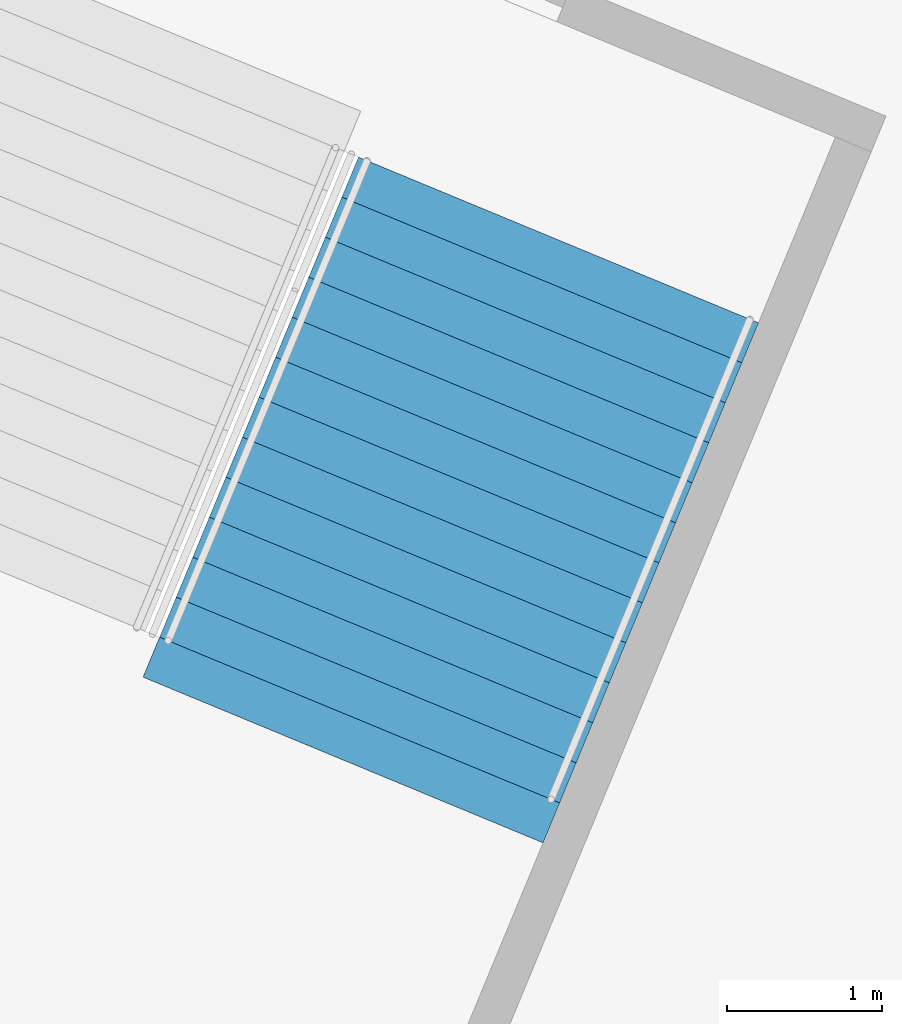
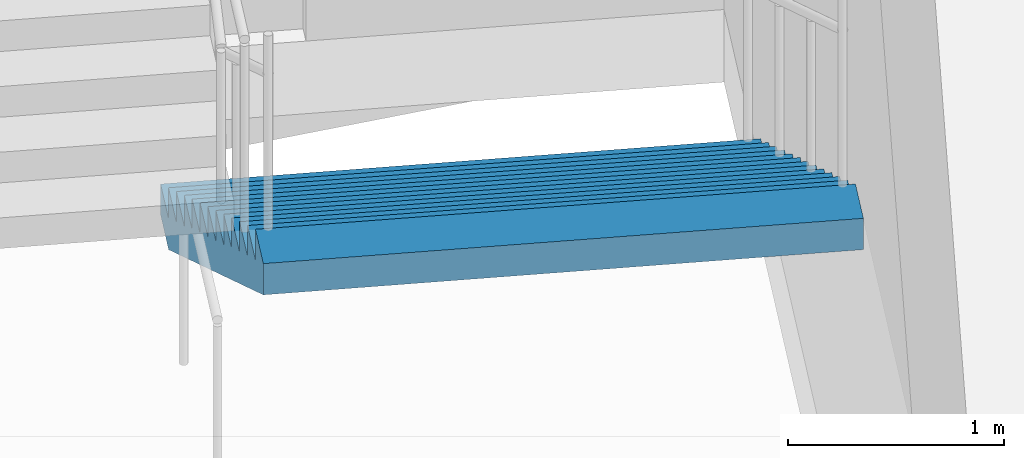
# One storey, part 105 of 199: 1 stair flight, 1 element without a shape of its own.
"""IFC4 building model written with IfcOpenShell, lengths in metres."""

from ifc_helpers import new_model, si_unit, direction, frame, origin, place, context, subcontext, project, spatial, faceted_brep, material, type_object, element, aggregate, save


model = new_model("IFC4")

# Units and contexts
model_context = context("Model", 3, precision=1e-05, world=origin(), true_north=direction((0.0, 1.0)))
body_context = subcontext(model_context, "Body", "Model", "MODEL_VIEW")
ifc_project = project(units=[si_unit("LENGTHUNIT", "METRE"), si_unit("AREAUNIT", "SQUARE_METRE"), si_unit("VOLUMEUNIT", "CUBIC_METRE"), si_unit("PLANEANGLEUNIT", "RADIAN"), si_unit("MASSUNIT", "GRAM", prefix="KILO")], contexts=[model_context])

# Site, building, storey
site_placement = place(None, origin())
site = spatial("IfcSite", under=ifc_project, at=site_placement, CompositionType="ELEMENT")
building_placement = place(site_placement, origin())
building = spatial("IfcBuilding", under=site, at=building_placement, Name="Ogive Plaza Stadium", CompositionType="ELEMENT")
storey_placement = place(building_placement, frame((0.0, 0.0, 9.0)))
storey = spatial("IfcBuildingStorey", under=building, at=storey_placement, Name="L02", CompositionType="ELEMENT", Elevation=9.0)

# Stair, stair flight
ifc_material_1 = material(Name="Concrete C40/50", Category="concrete")
stair_type = type_object("IfcStairType", Name="Exit stair", PredefinedType="STRAIGHT_RUN_STAIR", material=ifc_material_1)
stair_placement = place(storey_placement, origin())
stair = element("IfcStair", 1, at=stair_placement, inside=storey, type_object=stair_type, Name="Exit stair ST18B L02 to L03", PredefinedType="STRAIGHT_RUN_STAIR")
ifc_material_2 = material(Name="Concrete C40/50", Category="concrete")
stair_flight_type = type_object("IfcStairFlightType", Name="Exit stair flight", PredefinedType="STRAIGHT", material=ifc_material_2)
stair_flight_placement = place(storey_placement, frame((-46.118408203125, -93.319580078125, 0.0), z_axis=(0.0, 0.0, 1.0), x_axis=(-0.382683432365, -0.923879532511, 0.0)))
stair_flight = element("IfcStairFlight", 2, at=stair_flight_placement, type_object=stair_flight_type, Name="ST18B flight 1", NumberOfRisers=13, NumberOfTreads=12, PredefinedType="STRAIGHT", RiserHeight=0.173076923, TreadLength=0.28, context=body_context, shape_type="Brep", body=[
    faceted_brep([(0.28515625, -1.39990234375, 0.0), (3.639892578125, -1.39990234375, 2.07373046875), (3.639892578125, -1.39990234375, 2.25), (3.360107421875, -1.39990234375, 2.25), (3.360107421875, -1.39990234375, 2.076904296875), (3.080078125, -1.39990234375, 2.076904296875), (3.080078125, -1.39990234375, 1.90380859375), (2.800048828125, -1.39990234375, 1.90380859375), (2.800048828125, -1.39990234375, 1.730712890625), (2.52001953125, -1.39990234375, 1.730712890625), (2.52001953125, -1.39990234375, 1.5576171875), (2.239990234375, -1.39990234375, 1.5576171875), (2.239990234375, -1.39990234375, 1.384521484375), (1.9599609375, -1.39990234375, 1.384521484375), (1.9599609375, -1.39990234375, 1.21142578125), (1.679931640625, -1.39990234375, 1.21142578125), (1.679931640625, -1.39990234375, 1.03857421875), (1.39990234375, -1.39990234375, 1.03857421875), (1.39990234375, -1.39990234375, 0.865478515625), (1.1201171875, -1.39990234375, 0.865478515625), (1.1201171875, -1.39990234375, 0.6923828125), (0.840087890625, -1.39990234375, 0.6923828125), (0.840087890625, -1.39990234375, 0.519287109375), (0.56005859375, -1.39990234375, 0.519287109375), (0.56005859375, -1.39990234375, 0.34619140625), (0.280029296875, -1.39990234375, 0.34619140625), (0.280029296875, -1.39990234375, 0.173095703125), (0.0, -1.39990234375, 0.173095703125), (0.0, -1.39990234375, 0.0), (0.0, 1.39990234375, 0.0), (0.0, 1.39990234375, 0.173095703125), (0.280029296875, 1.39990234375, 0.173095703125), (0.280029296875, 1.39990234375, 0.34619140625), (0.56005859375, 1.39990234375, 0.34619140625), (0.56005859375, 1.39990234375, 0.519287109375), (0.840087890625, 1.39990234375, 0.519287109375), (0.840087890625, 1.39990234375, 0.6923828125), (1.1201171875, 1.39990234375, 0.6923828125), (1.1201171875, 1.39990234375, 0.865478515625), (1.39990234375, 1.39990234375, 0.865478515625), (1.39990234375, 1.39990234375, 1.03857421875), (1.679931640625, 1.39990234375, 1.03857421875), (1.679931640625, 1.39990234375, 1.21142578125), (1.9599609375, 1.39990234375, 1.21142578125), (1.9599609375, 1.39990234375, 1.384521484375), (2.239990234375, 1.39990234375, 1.384521484375), (2.239990234375, 1.39990234375, 1.5576171875), (2.52001953125, 1.39990234375, 1.5576171875), (2.52001953125, 1.39990234375, 1.730712890625), (2.800048828125, 1.39990234375, 1.730712890625), (2.800048828125, 1.39990234375, 1.90380859375), (3.080078125, 1.39990234375, 1.90380859375), (3.080078125, 1.39990234375, 2.076904296875), (3.360107421875, 1.39990234375, 2.076904296875), (3.360107421875, 1.39990234375, 2.25), (3.639892578125, 1.39990234375, 2.25), (3.639892578125, 1.39990234375, 2.07373046875), (0.28515625, 1.39990234375, 0.0), (0.28515625, -1.0888671875, 0.0), (3.639892578125, -1.0888671875, 2.07373046875), (0.28515625, -0.77783203125, 0.0), (3.639892578125, -0.77783203125, 2.07373046875), (0.28515625, -0.466796875, 0.0), (3.639892578125, -0.466796875, 2.07373046875), (0.28515625, -0.155517578125, 0.0), (3.639892578125, -0.155517578125, 2.07373046875), (0.28515625, 0.155517578125, 0.0), (3.639892578125, 0.155517578125, 2.07373046875), (0.28515625, 0.466796875, 0.0), (3.639892578125, 0.466796875, 2.07373046875), (0.28515625, 0.77783203125, 0.0), (3.639892578125, 0.77783203125, 2.07373046875), (0.28515625, 1.0888671875, 0.0), (3.639892578125, 1.0888671875, 2.07373046875), (3.639892578125, -1.0888671875, 2.25), (3.639892578125, -0.77783203125, 2.25), (3.639892578125, -0.466796875, 2.25), (3.639892578125, -0.155517578125, 2.25), (3.639892578125, 0.155517578125, 2.25), (3.639892578125, 0.466796875, 2.25), (3.639892578125, 0.77783203125, 2.25), (3.639892578125, 1.0888671875, 2.25), (3.360107421875, -1.0888671875, 2.25), (3.360107421875, -0.77783203125, 2.25), (3.360107421875, -0.466796875, 2.25), (3.360107421875, -0.155517578125, 2.25), (3.360107421875, 0.155517578125, 2.25), (3.360107421875, 0.466796875, 2.25), (3.360107421875, 0.77783203125, 2.25), (3.360107421875, 1.0888671875, 2.25), (3.360107421875, -1.0888671875, 2.076904296875), (3.360107421875, -0.77783203125, 2.076904296875), (3.360107421875, -0.466796875, 2.076904296875), (3.360107421875, -0.155517578125, 2.076904296875), (3.360107421875, 0.155517578125, 2.076904296875), (3.360107421875, 0.466796875, 2.076904296875), (3.360107421875, 0.77783203125, 2.076904296875), (3.360107421875, 1.0888671875, 2.076904296875), (3.080078125, -1.0888671875, 2.076904296875), (3.080078125, -0.77783203125, 2.076904296875), (3.080078125, -0.466796875, 2.076904296875), (3.080078125, -0.155517578125, 2.076904296875), (3.080078125, 0.155517578125, 2.076904296875), (3.080078125, 0.466796875, 2.076904296875), (3.080078125, 0.77783203125, 2.076904296875), (3.080078125, 1.0888671875, 2.076904296875), (3.080078125, -1.0888671875, 1.90380859375), (3.080078125, -0.77783203125, 1.90380859375), (3.080078125, -0.466796875, 1.90380859375), (3.080078125, -0.155517578125, 1.90380859375), (3.080078125, 0.155517578125, 1.90380859375), (3.080078125, 0.466796875, 1.90380859375), (3.080078125, 0.77783203125, 1.90380859375), (3.080078125, 1.0888671875, 1.90380859375), (2.800048828125, -1.0888671875, 1.90380859375), (2.800048828125, -0.77783203125, 1.90380859375), (2.800048828125, -0.466796875, 1.90380859375), (2.800048828125, -0.155517578125, 1.90380859375), (2.800048828125, 0.155517578125, 1.90380859375), (2.800048828125, 0.466796875, 1.90380859375), (2.800048828125, 0.77783203125, 1.90380859375), (2.800048828125, 1.0888671875, 1.90380859375), (2.800048828125, -1.0888671875, 1.730712890625), (2.800048828125, -0.77783203125, 1.730712890625), (2.800048828125, -0.466796875, 1.730712890625), (2.800048828125, -0.155517578125, 1.730712890625), (2.800048828125, 0.155517578125, 1.730712890625), (2.800048828125, 0.466796875, 1.730712890625), (2.800048828125, 0.77783203125, 1.730712890625), (2.800048828125, 1.0888671875, 1.730712890625), (2.52001953125, -1.0888671875, 1.730712890625), (2.52001953125, -0.77783203125, 1.730712890625), (2.52001953125, -0.466796875, 1.730712890625), (2.52001953125, -0.155517578125, 1.730712890625), (2.52001953125, 0.155517578125, 1.730712890625), (2.52001953125, 0.466796875, 1.730712890625), (2.52001953125, 0.77783203125, 1.730712890625), (2.52001953125, 1.0888671875, 1.730712890625), (2.52001953125, -1.0888671875, 1.5576171875), (2.52001953125, -0.77783203125, 1.5576171875), (2.52001953125, -0.466796875, 1.5576171875), (2.52001953125, -0.155517578125, 1.5576171875), (2.52001953125, 0.155517578125, 1.5576171875), (2.52001953125, 0.466796875, 1.5576171875), (2.52001953125, 0.77783203125, 1.5576171875), (2.52001953125, 1.0888671875, 1.5576171875), (2.239990234375, -1.0888671875, 1.5576171875), (2.239990234375, -0.77783203125, 1.5576171875), (2.239990234375, -0.466796875, 1.5576171875), (2.239990234375, -0.155517578125, 1.5576171875), (2.239990234375, 0.155517578125, 1.5576171875), (2.239990234375, 0.466796875, 1.5576171875), (2.239990234375, 0.77783203125, 1.5576171875), (2.239990234375, 1.0888671875, 1.5576171875), (2.239990234375, -1.0888671875, 1.384521484375), (2.239990234375, -0.77783203125, 1.384521484375), (2.239990234375, -0.466796875, 1.384521484375), (2.239990234375, -0.155517578125, 1.384521484375), (2.239990234375, 0.155517578125, 1.384521484375), (2.239990234375, 0.466796875, 1.384521484375), (2.239990234375, 0.77783203125, 1.384521484375), (2.239990234375, 1.0888671875, 1.384521484375), (1.9599609375, -1.0888671875, 1.384521484375), (1.9599609375, -0.77783203125, 1.384521484375), (1.9599609375, -0.466796875, 1.384521484375), (1.9599609375, -0.155517578125, 1.384521484375), (1.9599609375, 0.155517578125, 1.384521484375), (1.9599609375, 0.466796875, 1.384521484375), (1.9599609375, 0.77783203125, 1.384521484375), (1.9599609375, 1.0888671875, 1.384521484375), (1.9599609375, -1.0888671875, 1.21142578125), (1.9599609375, -0.77783203125, 1.21142578125), (1.9599609375, -0.466796875, 1.21142578125), (1.9599609375, -0.155517578125, 1.21142578125), (1.9599609375, 0.155517578125, 1.21142578125), (1.9599609375, 0.466796875, 1.21142578125), (1.9599609375, 0.77783203125, 1.21142578125), (1.9599609375, 1.0888671875, 1.21142578125), (1.679931640625, -1.0888671875, 1.21142578125), (1.679931640625, -0.77783203125, 1.21142578125), (1.679931640625, -0.466796875, 1.21142578125), (1.679931640625, -0.155517578125, 1.21142578125), (1.679931640625, 0.155517578125, 1.21142578125), (1.679931640625, 0.466796875, 1.21142578125), (1.679931640625, 0.77783203125, 1.21142578125), (1.679931640625, 1.0888671875, 1.21142578125), (1.679931640625, -1.0888671875, 1.03857421875), (1.679931640625, -0.77783203125, 1.03857421875), (1.679931640625, -0.466796875, 1.03857421875), (1.679931640625, -0.155517578125, 1.03857421875), (1.679931640625, 0.155517578125, 1.03857421875), (1.679931640625, 0.466796875, 1.03857421875), (1.679931640625, 0.77783203125, 1.03857421875), (1.679931640625, 1.0888671875, 1.03857421875), (1.39990234375, -1.0888671875, 1.03857421875), (1.39990234375, -0.77783203125, 1.03857421875), (1.39990234375, -0.466796875, 1.03857421875), (1.39990234375, -0.155517578125, 1.03857421875), (1.39990234375, 0.155517578125, 1.03857421875), (1.39990234375, 0.466796875, 1.03857421875), (1.39990234375, 0.77783203125, 1.03857421875), (1.39990234375, 1.0888671875, 1.03857421875), (1.39990234375, -1.0888671875, 0.865478515625), (1.39990234375, -0.77783203125, 0.865478515625), (1.39990234375, -0.466796875, 0.865478515625), (1.39990234375, -0.155517578125, 0.865478515625), (1.39990234375, 0.155517578125, 0.865478515625), (1.39990234375, 0.466796875, 0.865478515625), (1.39990234375, 0.77783203125, 0.865478515625), (1.39990234375, 1.0888671875, 0.865478515625), (1.1201171875, -1.0888671875, 0.865478515625), (1.1201171875, -0.77783203125, 0.865478515625), (1.1201171875, -0.466796875, 0.865478515625), (1.1201171875, -0.155517578125, 0.865478515625), (1.1201171875, 0.155517578125, 0.865478515625), (1.1201171875, 0.466796875, 0.865478515625), (1.1201171875, 0.77783203125, 0.865478515625), (1.1201171875, 1.0888671875, 0.865478515625), (1.1201171875, -1.0888671875, 0.6923828125), (1.1201171875, -0.77783203125, 0.6923828125), (1.1201171875, -0.466796875, 0.6923828125), (1.1201171875, -0.155517578125, 0.6923828125), (1.1201171875, 0.155517578125, 0.6923828125), (1.1201171875, 0.466796875, 0.6923828125), (1.1201171875, 0.77783203125, 0.6923828125), (1.1201171875, 1.0888671875, 0.6923828125), (0.840087890625, -1.0888671875, 0.6923828125), (0.840087890625, -0.77783203125, 0.6923828125), (0.840087890625, -0.466796875, 0.6923828125), (0.840087890625, -0.155517578125, 0.6923828125), (0.840087890625, 0.155517578125, 0.6923828125), (0.840087890625, 0.466796875, 0.6923828125), (0.840087890625, 0.77783203125, 0.6923828125), (0.840087890625, 1.0888671875, 0.6923828125), (0.840087890625, -1.0888671875, 0.519287109375), (0.840087890625, -0.77783203125, 0.519287109375), (0.840087890625, -0.466796875, 0.519287109375), (0.840087890625, -0.155517578125, 0.519287109375), (0.840087890625, 0.155517578125, 0.519287109375), (0.840087890625, 0.466796875, 0.519287109375), (0.840087890625, 0.77783203125, 0.519287109375), (0.840087890625, 1.0888671875, 0.519287109375), (0.56005859375, -1.0888671875, 0.519287109375), (0.56005859375, -0.77783203125, 0.519287109375), (0.56005859375, -0.466796875, 0.519287109375), (0.56005859375, -0.155517578125, 0.519287109375), (0.56005859375, 0.155517578125, 0.519287109375), (0.56005859375, 0.466796875, 0.519287109375), (0.56005859375, 0.77783203125, 0.519287109375), (0.56005859375, 1.0888671875, 0.519287109375), (0.56005859375, -1.0888671875, 0.34619140625), (0.56005859375, -0.77783203125, 0.34619140625), (0.56005859375, -0.466796875, 0.34619140625), (0.56005859375, -0.155517578125, 0.34619140625), (0.56005859375, 0.155517578125, 0.34619140625), (0.56005859375, 0.466796875, 0.34619140625), (0.56005859375, 0.77783203125, 0.34619140625), (0.56005859375, 1.0888671875, 0.34619140625), (0.280029296875, -1.0888671875, 0.34619140625), (0.280029296875, -0.77783203125, 0.34619140625), (0.280029296875, -0.466796875, 0.34619140625), (0.280029296875, -0.155517578125, 0.34619140625), (0.280029296875, 0.155517578125, 0.34619140625), (0.280029296875, 0.466796875, 0.34619140625), (0.280029296875, 0.77783203125, 0.34619140625), (0.280029296875, 1.0888671875, 0.34619140625), (0.280029296875, -1.0888671875, 0.173095703125), (0.280029296875, -0.77783203125, 0.173095703125), (0.280029296875, -0.466796875, 0.173095703125), (0.280029296875, -0.155517578125, 0.173095703125), (0.280029296875, 0.155517578125, 0.173095703125), (0.280029296875, 0.466796875, 0.173095703125), (0.280029296875, 0.77783203125, 0.173095703125), (0.280029296875, 1.0888671875, 0.173095703125), (0.0, -1.0888671875, 0.173095703125), (0.0, -0.77783203125, 0.173095703125), (0.0, -0.466796875, 0.173095703125), (0.0, -0.155517578125, 0.173095703125), (0.0, 0.155517578125, 0.173095703125), (0.0, 0.466796875, 0.173095703125), (0.0, 0.77783203125, 0.173095703125), (0.0, 1.0888671875, 0.173095703125), (0.0, -1.0888671875, 0.0), (0.0, -0.77783203125, 0.0), (0.0, -0.466796875, 0.0), (0.0, -0.155517578125, 0.0), (0.0, 0.155517578125, 0.0), (0.0, 0.466796875, 0.0), (0.0, 0.77783203125, 0.0), (0.0, 1.0888671875, 0.0)], [[[0, 1, 2, 3, 4, 5, 6, 7, 8, 9, 10, 11, 12, 13, 14, 15, 16, 17, 18, 19, 20, 21, 22, 23, 24, 25, 26, 27, 28]], [[29, 30, 31, 32, 33, 34, 35, 36, 37, 38, 39, 40, 41, 42, 43, 44, 45, 46, 47, 48, 49, 50, 51, 52, 53, 54, 55, 56, 57]], [[0, 58, 59, 1]], [[58, 60, 61, 59]], [[60, 62, 63, 61]], [[62, 64, 65, 63]], [[64, 66, 67, 65]], [[66, 68, 69, 67]], [[68, 70, 71, 69]], [[70, 72, 73, 71]], [[72, 57, 56, 73]], [[1, 59, 74, 2]], [[59, 61, 75, 74]], [[61, 63, 76, 75]], [[63, 65, 77, 76]], [[65, 67, 78, 77]], [[67, 69, 79, 78]], [[69, 71, 80, 79]], [[71, 73, 81, 80]], [[73, 56, 55, 81]], [[2, 74, 82, 3]], [[74, 75, 83, 82]], [[75, 76, 84, 83]], [[76, 77, 85, 84]], [[77, 78, 86, 85]], [[78, 79, 87, 86]], [[79, 80, 88, 87]], [[80, 81, 89, 88]], [[81, 55, 54, 89]], [[3, 82, 90, 4]], [[82, 83, 91, 90]], [[83, 84, 92, 91]], [[84, 85, 93, 92]], [[85, 86, 94, 93]], [[86, 87, 95, 94]], [[87, 88, 96, 95]], [[88, 89, 97, 96]], [[89, 54, 53, 97]], [[4, 90, 98, 5]], [[90, 91, 99, 98]], [[91, 92, 100, 99]], [[92, 93, 101, 100]], [[93, 94, 102, 101]], [[94, 95, 103, 102]], [[95, 96, 104, 103]], [[96, 97, 105, 104]], [[97, 53, 52, 105]], [[5, 98, 106, 6]], [[98, 99, 107, 106]], [[99, 100, 108, 107]], [[100, 101, 109, 108]], [[101, 102, 110, 109]], [[102, 103, 111, 110]], [[103, 104, 112, 111]], [[104, 105, 113, 112]], [[105, 52, 51, 113]], [[6, 106, 114, 7]], [[106, 107, 115, 114]], [[107, 108, 116, 115]], [[108, 109, 117, 116]], [[109, 110, 118, 117]], [[110, 111, 119, 118]], [[111, 112, 120, 119]], [[112, 113, 121, 120]], [[113, 51, 50, 121]], [[7, 114, 122, 8]], [[114, 115, 123, 122]], [[115, 116, 124, 123]], [[116, 117, 125, 124]], [[117, 118, 126, 125]], [[118, 119, 127, 126]], [[119, 120, 128, 127]], [[120, 121, 129, 128]], [[121, 50, 49, 129]], [[8, 122, 130, 9]], [[122, 123, 131, 130]], [[123, 124, 132, 131]], [[124, 125, 133, 132]], [[125, 126, 134, 133]], [[126, 127, 135, 134]], [[127, 128, 136, 135]], [[128, 129, 137, 136]], [[129, 49, 48, 137]], [[9, 130, 138, 10]], [[130, 131, 139, 138]], [[131, 132, 140, 139]], [[132, 133, 141, 140]], [[133, 134, 142, 141]], [[134, 135, 143, 142]], [[135, 136, 144, 143]], [[136, 137, 145, 144]], [[137, 48, 47, 145]], [[10, 138, 146, 11]], [[138, 139, 147, 146]], [[139, 140, 148, 147]], [[140, 141, 149, 148]], [[141, 142, 150, 149]], [[142, 143, 151, 150]], [[143, 144, 152, 151]], [[144, 145, 153, 152]], [[145, 47, 46, 153]], [[11, 146, 154, 12]], [[146, 147, 155, 154]], [[147, 148, 156, 155]], [[148, 149, 157, 156]], [[149, 150, 158, 157]], [[150, 151, 159, 158]], [[151, 152, 160, 159]], [[152, 153, 161, 160]], [[153, 46, 45, 161]], [[12, 154, 162, 13]], [[154, 155, 163, 162]], [[155, 156, 164, 163]], [[156, 157, 165, 164]], [[157, 158, 166, 165]], [[158, 159, 167, 166]], [[159, 160, 168, 167]], [[160, 161, 169, 168]], [[161, 45, 44, 169]], [[13, 162, 170, 14]], [[162, 163, 171, 170]], [[163, 164, 172, 171]], [[164, 165, 173, 172]], [[165, 166, 174, 173]], [[166, 167, 175, 174]], [[167, 168, 176, 175]], [[168, 169, 177, 176]], [[169, 44, 43, 177]], [[14, 170, 178, 15]], [[170, 171, 179, 178]], [[171, 172, 180, 179]], [[172, 173, 181, 180]], [[173, 174, 182, 181]], [[174, 175, 183, 182]], [[175, 176, 184, 183]], [[176, 177, 185, 184]], [[177, 43, 42, 185]], [[15, 178, 186, 16]], [[178, 179, 187, 186]], [[179, 180, 188, 187]], [[180, 181, 189, 188]], [[181, 182, 190, 189]], [[182, 183, 191, 190]], [[183, 184, 192, 191]], [[184, 185, 193, 192]], [[185, 42, 41, 193]], [[16, 186, 194, 17]], [[186, 187, 195, 194]], [[187, 188, 196, 195]], [[188, 189, 197, 196]], [[189, 190, 198, 197]], [[190, 191, 199, 198]], [[191, 192, 200, 199]], [[192, 193, 201, 200]], [[193, 41, 40, 201]], [[17, 194, 202, 18]], [[194, 195, 203, 202]], [[195, 196, 204, 203]], [[196, 197, 205, 204]], [[197, 198, 206, 205]], [[198, 199, 207, 206]], [[199, 200, 208, 207]], [[200, 201, 209, 208]], [[201, 40, 39, 209]], [[18, 202, 210, 19]], [[202, 203, 211, 210]], [[203, 204, 212, 211]], [[204, 205, 213, 212]], [[205, 206, 214, 213]], [[206, 207, 215, 214]], [[207, 208, 216, 215]], [[208, 209, 217, 216]], [[209, 39, 38, 217]], [[19, 210, 218, 20]], [[210, 211, 219, 218]], [[211, 212, 220, 219]], [[212, 213, 221, 220]], [[213, 214, 222, 221]], [[214, 215, 223, 222]], [[215, 216, 224, 223]], [[216, 217, 225, 224]], [[217, 38, 37, 225]], [[20, 218, 226, 21]], [[218, 219, 227, 226]], [[219, 220, 228, 227]], [[220, 221, 229, 228]], [[221, 222, 230, 229]], [[222, 223, 231, 230]], [[223, 224, 232, 231]], [[224, 225, 233, 232]], [[225, 37, 36, 233]], [[21, 226, 234, 22]], [[226, 227, 235, 234]], [[227, 228, 236, 235]], [[228, 229, 237, 236]], [[229, 230, 238, 237]], [[230, 231, 239, 238]], [[231, 232, 240, 239]], [[232, 233, 241, 240]], [[233, 36, 35, 241]], [[22, 234, 242, 23]], [[234, 235, 243, 242]], [[235, 236, 244, 243]], [[236, 237, 245, 244]], [[237, 238, 246, 245]], [[238, 239, 247, 246]], [[239, 240, 248, 247]], [[240, 241, 249, 248]], [[241, 35, 34, 249]], [[23, 242, 250, 24]], [[242, 243, 251, 250]], [[243, 244, 252, 251]], [[244, 245, 253, 252]], [[245, 246, 254, 253]], [[246, 247, 255, 254]], [[247, 248, 256, 255]], [[248, 249, 257, 256]], [[249, 34, 33, 257]], [[24, 250, 258, 25]], [[250, 251, 259, 258]], [[251, 252, 260, 259]], [[252, 253, 261, 260]], [[253, 254, 262, 261]], [[254, 255, 263, 262]], [[255, 256, 264, 263]], [[256, 257, 265, 264]], [[257, 33, 32, 265]], [[25, 258, 266, 26]], [[258, 259, 267, 266]], [[259, 260, 268, 267]], [[260, 261, 269, 268]], [[261, 262, 270, 269]], [[262, 263, 271, 270]], [[263, 264, 272, 271]], [[264, 265, 273, 272]], [[265, 32, 31, 273]], [[26, 266, 274, 27]], [[266, 267, 275, 274]], [[267, 268, 276, 275]], [[268, 269, 277, 276]], [[269, 270, 278, 277]], [[270, 271, 279, 278]], [[271, 272, 280, 279]], [[272, 273, 281, 280]], [[273, 31, 30, 281]], [[27, 274, 282, 28]], [[274, 275, 283, 282]], [[275, 276, 284, 283]], [[276, 277, 285, 284]], [[277, 278, 286, 285]], [[278, 279, 287, 286]], [[279, 280, 288, 287]], [[280, 281, 289, 288]], [[281, 30, 29, 289]], [[28, 282, 58, 0]], [[282, 283, 60, 58]], [[283, 284, 62, 60]], [[284, 285, 64, 62]], [[285, 286, 66, 64]], [[286, 287, 68, 66]], [[287, 288, 70, 68]], [[288, 289, 72, 70]], [[289, 29, 57, 72]]]),
])
aggregate(stair, [stair_flight])

save(model, "model.ifc")
